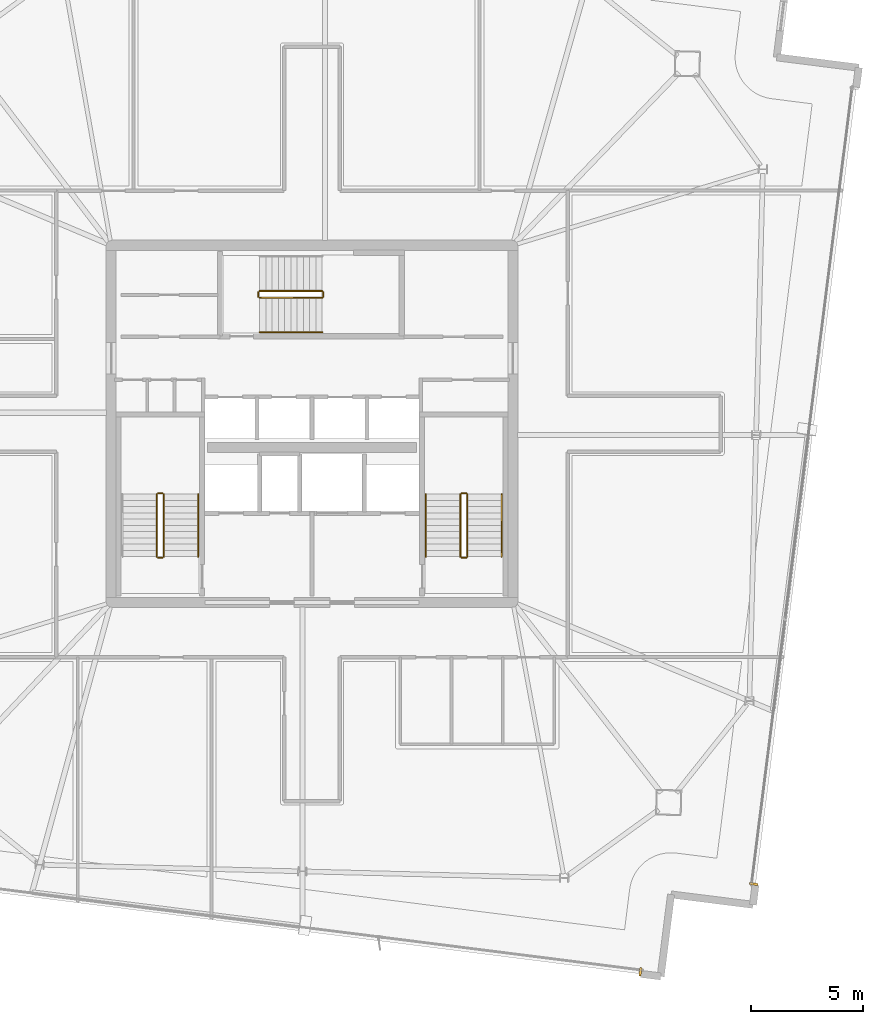
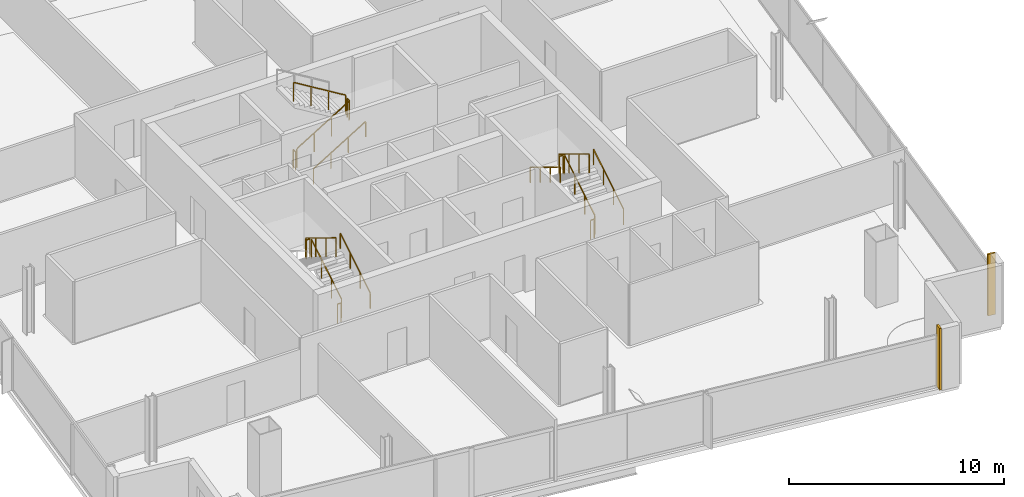
# One storey, part 22 of 23: 16 railings, 2 coverings.
"""IFC4 building model written with IfcOpenShell, lengths in metres."""

from ifc_helpers import new_model, si_unit, direction, frame, origin, origin_2d, place, context, subcontext, project, spatial, rectangle, extrude, source, transform, mapped, material, layer, layer_set, type_object, element, save


model = new_model("IFC4")

# Units and contexts
model_context = context("Model", 3, precision=1e-05, world=origin(), true_north=direction((0.0, 1.0)))
body_context = subcontext(model_context, "Body", "Model", "MODEL_VIEW")
ifc_project = project(units=[si_unit("LENGTHUNIT", "METRE"), si_unit("AREAUNIT", "SQUARE_METRE"), si_unit("VOLUMEUNIT", "CUBIC_METRE"), si_unit("PLANEANGLEUNIT", "RADIAN"), si_unit("MASSUNIT", "GRAM", prefix="KILO")], contexts=[model_context])

# Site, building, storey
site_placement = place(None, origin())
site = spatial("IfcSite", under=ifc_project, at=site_placement, CompositionType="ELEMENT")
building_placement = place(site_placement, origin())
building = spatial("IfcBuilding", under=site, at=building_placement, Name="Haldenkirk Collegiate Tower", CompositionType="ELEMENT")
storey_placement = place(building_placement, frame((0.0, 0.0, 306.449951171875)))
storey = spatial("IfcBuildingStorey", under=building, at=storey_placement, Name="L77", CompositionType="ELEMENT", Elevation=306.449951171875)

# Railings
ifc_material_1 = material(Name="Painted architectural tubular steel", Category="steel")
railing_type_1 = type_object("IfcRailingType", Name="RLG-STAIR-GUARD-1100", PredefinedType="BALUSTRADE", material=ifc_material_1)
railing_1_placement = place(storey_placement, frame((29.35009765625, 20.050048828125, 0.17041015625)))
element("IfcRailing", 1, at=railing_1_placement, inside=storey, type_object=railing_type_1, Name="L77 ST-1 stair guard 1", PredefinedType="BALUSTRADE", context=body_context, shape_type="SweptSolid", body=[
    extrude(rectangle(XDim=0.048095703125, YDim=0.048095703125, at=origin_2d()), frame((0.0, 0.0, 1.076171875), z_axis=(0.0, 0.854169791009, 0.51999420009), x_axis=(-1.0, 0.0, 0.0)), (0.0, 0.0, 1.0), 3.278076171875),
    extrude(rectangle(XDim=0.0419921875, YDim=0.0419921875, at=origin_2d()), origin(), (0.0, 0.0, 1.0), 1.052001953125),
    extrude(rectangle(XDim=0.0419921875, YDim=0.0419921875, at=origin_2d()), frame((0.0, 0.933349609375, 0.568115234375)), (0.0, 0.0, 1.0), 1.052001953125),
    extrude(rectangle(XDim=0.0419921875, YDim=0.0419921875, at=origin_2d()), frame((0.0, 1.86669921875, 1.136474609375)), (0.0, 0.0, 1.0), 1.052001953125),
    extrude(rectangle(XDim=0.0419921875, YDim=0.0419921875, at=origin_2d()), frame((0.0, 2.800048828125, 1.70458984375)), (0.0, 0.0, 1.0), 1.052001953125),
])
railing_2_placement = place(storey_placement, frame((29.300048828125, 22.89990234375, 1.875)))
element("IfcRailing", 2, at=railing_2_placement, inside=storey, type_object=railing_type_1, Name="L77 ST-1 stair guard 2", PredefinedType="BALUSTRADE", context=body_context, shape_type="SweptSolid", body=[
    extrude(rectangle(XDim=0.048095703125, YDim=0.048095703125, at=origin_2d()), frame((0.0, 0.0, 1.076171875), z_axis=(-1.0, 0.0, 0.0), x_axis=(0.0, -1.0, 0.0)), (0.0, 0.0, 1.0), 0.199951171875),
    extrude(rectangle(XDim=0.0419921875, YDim=0.0419921875, at=origin_2d()), origin(), (0.0, 0.0, 1.0), 1.052001953125),
    extrude(rectangle(XDim=0.0419921875, YDim=0.0419921875, at=origin_2d()), frame((-0.199951171875, 0.0, 0.0)), (0.0, 0.0, 1.0), 1.052001953125),
])
railing_3_placement = place(storey_placement, frame((29.050048828125, 22.85009765625, 2.04541015625)))
element("IfcRailing", 3, at=railing_3_placement, inside=storey, type_object=railing_type_1, Name="L77 ST-1 stair guard 3", PredefinedType="BALUSTRADE", context=body_context, shape_type="SweptSolid", body=[
    extrude(rectangle(XDim=0.048095703125, YDim=0.048095703125, at=origin_2d()), frame((0.0, 0.0, 1.076171875), z_axis=(0.0, -0.854169791009, 0.51999420009), x_axis=(1.0, 0.0, 0.0)), (0.0, 0.0, 1.0), 3.278076171875),
    extrude(rectangle(XDim=0.0419921875, YDim=0.0419921875, at=origin_2d()), origin(), (0.0, 0.0, 1.0), 1.052001953125),
    extrude(rectangle(XDim=0.0419921875, YDim=0.0419921875, at=origin_2d()), frame((0.0, -0.933349609375, 0.568115234375)), (0.0, 0.0, 1.0), 1.052001953125),
    extrude(rectangle(XDim=0.0419921875, YDim=0.0419921875, at=origin_2d()), frame((0.0, -1.86669921875, 1.136474609375)), (0.0, 0.0, 1.0), 1.052001953125),
    extrude(rectangle(XDim=0.0419921875, YDim=0.0419921875, at=origin_2d()), frame((0.0, -2.800048828125, 1.70458984375)), (0.0, 0.0, 1.0), 1.052001953125),
])
railing_4_placement = place(storey_placement, frame((29.300048828125, 20.0, 0.0)))
element("IfcRailing", 4, at=railing_4_placement, inside=storey, type_object=railing_type_1, Name="L77 ST-1 stair guard 4", PredefinedType="BALUSTRADE", context=body_context, shape_type="SweptSolid", body=[
    extrude(rectangle(XDim=0.048095703125, YDim=0.048095703125, at=origin_2d()), frame((0.0, 0.0, 1.076171875), z_axis=(-1.0, 0.0, 0.0), x_axis=(0.0, -1.0, 0.0)), (0.0, 0.0, 1.0), 0.199951171875),
    extrude(rectangle(XDim=0.0419921875, YDim=0.0419921875, at=origin_2d()), origin(), (0.0, 0.0, 1.0), 1.052001953125),
    extrude(rectangle(XDim=0.0419921875, YDim=0.0419921875, at=origin_2d()), frame((-0.199951171875, 0.0, 0.0)), (0.0, 0.0, 1.0), 1.052001953125),
])
railing_5_placement = place(storey_placement, frame((42.949951171875, 20.050048828125, 0.17041015625)))
element("IfcRailing", 5, at=railing_5_placement, inside=storey, type_object=railing_type_1, Name="L77 ST-2 stair guard 1", PredefinedType="BALUSTRADE", context=body_context, shape_type="SweptSolid", body=[
    extrude(rectangle(XDim=0.048095703125, YDim=0.048095703125, at=origin_2d()), frame((0.0, 0.0, 1.076171875), z_axis=(0.0, 0.854169791009, 0.51999420009), x_axis=(-1.0, 0.0, 0.0)), (0.0, 0.0, 1.0), 3.278076171875),
    extrude(rectangle(XDim=0.0419921875, YDim=0.0419921875, at=origin_2d()), origin(), (0.0, 0.0, 1.0), 1.052001953125),
    extrude(rectangle(XDim=0.0419921875, YDim=0.0419921875, at=origin_2d()), frame((0.0, 0.933349609375, 0.568115234375)), (0.0, 0.0, 1.0), 1.052001953125),
    extrude(rectangle(XDim=0.0419921875, YDim=0.0419921875, at=origin_2d()), frame((0.0, 1.86669921875, 1.136474609375)), (0.0, 0.0, 1.0), 1.052001953125),
    extrude(rectangle(XDim=0.0419921875, YDim=0.0419921875, at=origin_2d()), frame((0.0, 2.800048828125, 1.70458984375)), (0.0, 0.0, 1.0), 1.052001953125),
])
railing_6_placement = place(storey_placement, frame((42.89990234375, 22.89990234375, 1.875)))
element("IfcRailing", 6, at=railing_6_placement, inside=storey, type_object=railing_type_1, Name="L77 ST-2 stair guard 2", PredefinedType="BALUSTRADE", context=body_context, shape_type="SweptSolid", body=[
    extrude(rectangle(XDim=0.048095703125, YDim=0.048095703125, at=origin_2d()), frame((0.0, 0.0, 1.076171875), z_axis=(-1.0, 0.0, 0.0), x_axis=(0.0, -1.0, 0.0)), (0.0, 0.0, 1.0), 0.199951171875),
    extrude(rectangle(XDim=0.0419921875, YDim=0.0419921875, at=origin_2d()), origin(), (0.0, 0.0, 1.0), 1.052001953125),
    extrude(rectangle(XDim=0.0419921875, YDim=0.0419921875, at=origin_2d()), frame((-0.199951171875, 0.0, 0.0)), (0.0, 0.0, 1.0), 1.052001953125),
])
railing_7_placement = place(storey_placement, frame((42.64990234375, 22.85009765625, 2.04541015625)))
element("IfcRailing", 7, at=railing_7_placement, inside=storey, type_object=railing_type_1, Name="L77 ST-2 stair guard 3", PredefinedType="BALUSTRADE", context=body_context, shape_type="SweptSolid", body=[
    extrude(rectangle(XDim=0.048095703125, YDim=0.048095703125, at=origin_2d()), frame((0.0, 0.0, 1.076171875), z_axis=(0.0, -0.854169791009, 0.51999420009), x_axis=(1.0, 0.0, 0.0)), (0.0, 0.0, 1.0), 3.278076171875),
    extrude(rectangle(XDim=0.0419921875, YDim=0.0419921875, at=origin_2d()), origin(), (0.0, 0.0, 1.0), 1.052001953125),
    extrude(rectangle(XDim=0.0419921875, YDim=0.0419921875, at=origin_2d()), frame((0.0, -0.933349609375, 0.568115234375)), (0.0, 0.0, 1.0), 1.052001953125),
    extrude(rectangle(XDim=0.0419921875, YDim=0.0419921875, at=origin_2d()), frame((0.0, -1.86669921875, 1.136474609375)), (0.0, 0.0, 1.0), 1.052001953125),
    extrude(rectangle(XDim=0.0419921875, YDim=0.0419921875, at=origin_2d()), frame((0.0, -2.800048828125, 1.70458984375)), (0.0, 0.0, 1.0), 1.052001953125),
])
railing_8_placement = place(storey_placement, frame((42.89990234375, 20.0, 0.0)))
element("IfcRailing", 8, at=railing_8_placement, inside=storey, type_object=railing_type_1, Name="L77 ST-2 stair guard 4", PredefinedType="BALUSTRADE", context=body_context, shape_type="SweptSolid", body=[
    extrude(rectangle(XDim=0.048095703125, YDim=0.048095703125, at=origin_2d()), frame((0.0, 0.0, 1.076171875), z_axis=(-1.0, 0.0, 0.0), x_axis=(0.0, -1.0, 0.0)), (0.0, 0.0, 1.0), 0.199951171875),
    extrude(rectangle(XDim=0.0419921875, YDim=0.0419921875, at=origin_2d()), origin(), (0.0, 0.0, 1.0), 1.052001953125),
    extrude(rectangle(XDim=0.0419921875, YDim=0.0419921875, at=origin_2d()), frame((-0.199951171875, 0.0, 0.0)), (0.0, 0.0, 1.0), 1.052001953125),
])
railing_9_placement = place(storey_placement, frame((33.64990234375, 31.64990234375, 0.17041015625)))
element("IfcRailing", 9, at=railing_9_placement, inside=storey, type_object=railing_type_1, Name="L77 ST-3 stair guard 1", PredefinedType="BALUSTRADE", context=body_context, shape_type="SweptSolid", body=[
    extrude(rectangle(XDim=0.048095703125, YDim=0.048095703125, at=origin_2d()), frame((0.0, 0.0, 1.076171875), z_axis=(0.854169791009, 0.0, 0.51999420009), x_axis=(0.0, 1.0, 0.0)), (0.0, 0.0, 1.0), 3.278076171875),
    extrude(rectangle(XDim=0.0419921875, YDim=0.0419921875, at=origin_2d()), origin(), (0.0, 0.0, 1.0), 1.052001953125),
    extrude(rectangle(XDim=0.0419921875, YDim=0.0419921875, at=origin_2d()), frame((0.933349609375, 0.0, 0.568115234375)), (0.0, 0.0, 1.0), 1.052001953125),
    extrude(rectangle(XDim=0.0419921875, YDim=0.0419921875, at=origin_2d()), frame((1.86669921875, 0.0, 1.136474609375)), (0.0, 0.0, 1.0), 1.052001953125),
    extrude(rectangle(XDim=0.0419921875, YDim=0.0419921875, at=origin_2d()), frame((2.800048828125, 0.0, 1.70458984375)), (0.0, 0.0, 1.0), 1.052001953125),
])
railing_10_placement = place(storey_placement, frame((36.5, 31.699951171875, 1.875)))
element("IfcRailing", 10, at=railing_10_placement, inside=storey, type_object=railing_type_1, Name="L77 ST-3 stair guard 2", PredefinedType="BALUSTRADE", context=body_context, shape_type="SweptSolid", body=[
    extrude(rectangle(XDim=0.048095703125, YDim=0.048095703125, at=origin_2d()), frame((0.0, 0.0, 1.076171875), z_axis=(0.0, 1.0, 0.0), x_axis=(-1.0, 0.0, 0.0)), (0.0, 0.0, 1.0), 0.199951171875),
    extrude(rectangle(XDim=0.0419921875, YDim=0.0419921875, at=origin_2d()), origin(), (0.0, 0.0, 1.0), 1.052001953125),
    extrude(rectangle(XDim=0.0419921875, YDim=0.0419921875, at=origin_2d()), frame((0.0, 0.199951171875, 0.0)), (0.0, 0.0, 1.0), 1.052001953125),
])
railing_11_placement = place(storey_placement, frame((36.449951171875, 31.949951171875, 2.04541015625)))
element("IfcRailing", 11, at=railing_11_placement, inside=storey, type_object=railing_type_1, Name="L77 ST-3 stair guard 3", PredefinedType="BALUSTRADE", context=body_context, shape_type="SweptSolid", body=[
    extrude(rectangle(XDim=0.048095703125, YDim=0.048095703125, at=origin_2d()), frame((0.0, 0.0, 1.076171875), z_axis=(-0.854169791009, 0.0, 0.51999420009), x_axis=(0.0, -1.0, 0.0)), (0.0, 0.0, 1.0), 3.278076171875),
    extrude(rectangle(XDim=0.0419921875, YDim=0.0419921875, at=origin_2d()), origin(), (0.0, 0.0, 1.0), 1.052001953125),
    extrude(rectangle(XDim=0.0419921875, YDim=0.0419921875, at=origin_2d()), frame((-0.933349609375, 0.0, 0.568115234375)), (0.0, 0.0, 1.0), 1.052001953125),
    extrude(rectangle(XDim=0.0419921875, YDim=0.0419921875, at=origin_2d()), frame((-1.86669921875, 0.0, 1.136474609375)), (0.0, 0.0, 1.0), 1.052001953125),
    extrude(rectangle(XDim=0.0419921875, YDim=0.0419921875, at=origin_2d()), frame((-2.800048828125, 0.0, 1.70458984375)), (0.0, 0.0, 1.0), 1.052001953125),
])
railing_12_placement = place(storey_placement, frame((33.60009765625, 31.699951171875, 0.0)))
element("IfcRailing", 12, at=railing_12_placement, inside=storey, type_object=railing_type_1, Name="L77 ST-3 stair guard 4", PredefinedType="BALUSTRADE", context=body_context, shape_type="SweptSolid", body=[
    extrude(rectangle(XDim=0.048095703125, YDim=0.048095703125, at=origin_2d()), frame((0.0, 0.0, 1.076171875), z_axis=(0.0, 1.0, 0.0), x_axis=(-1.0, 0.0, 0.0)), (0.0, 0.0, 1.0), 0.199951171875),
    extrude(rectangle(XDim=0.0419921875, YDim=0.0419921875, at=origin_2d()), origin(), (0.0, 0.0, 1.0), 1.052001953125),
    extrude(rectangle(XDim=0.0419921875, YDim=0.0419921875, at=origin_2d()), frame((0.0, 0.199951171875, 0.0)), (0.0, 0.0, 1.0), 1.052001953125),
])
railing_type_2 = type_object("IfcRailingType", Name="RLG-STAIR-HANDRAIL-900", PredefinedType="HANDRAIL", material=ifc_material_1)
for number, where, name in (
    (13, (30.89990234375, 20.050048828125, 0.17041015625), "L77 ST-1 stair handrail 1"),
    (14, (44.5, 20.050048828125, 0.17041015625), "L77 ST-2 stair handrail 1"),
):
    element("IfcRailing", number, at=place(storey_placement, frame(where)), inside=storey, type_object=railing_type_2, Name=name, PredefinedType="HANDRAIL", context=body_context, shape_type="SweptSolid", body=[
        extrude(rectangle(XDim=0.048095703125, YDim=0.048095703125, at=origin_2d()), frame((0.0, 0.0, 0.8759765625), z_axis=(0.0, 0.854169791009, 0.51999420009), x_axis=(-1.0, 0.0, 0.0)), (0.0, 0.0, 1.0), 3.278076171875),
        extrude(rectangle(XDim=0.0419921875, YDim=0.0419921875, at=origin_2d()), origin(), (0.0, 0.0, 1.0), 0.851806640625),
        extrude(rectangle(XDim=0.0419921875, YDim=0.0419921875, at=origin_2d()), frame((0.0, 0.933349609375, 0.568115234375)), (0.0, 0.0, 1.0), 0.851806640625),
        extrude(rectangle(XDim=0.0419921875, YDim=0.0419921875, at=origin_2d()), frame((0.0, 1.86669921875, 1.136474609375)), (0.0, 0.0, 1.0), 0.851806640625),
        extrude(rectangle(XDim=0.0419921875, YDim=0.0419921875, at=origin_2d()), frame((0.0, 2.800048828125, 1.70458984375)), (0.0, 0.0, 1.0), 0.851806640625),
    ])
railing_13_placement = place(storey_placement, frame((41.10009765625, 22.85009765625, 2.04541015625)))
element("IfcRailing", 15, at=railing_13_placement, inside=storey, type_object=railing_type_2, Name="L77 ST-2 stair handrail 2", PredefinedType="HANDRAIL", context=body_context, shape_type="SweptSolid", body=[
    extrude(rectangle(XDim=0.048095703125, YDim=0.048095703125, at=origin_2d()), frame((0.0, 0.0, 0.8759765625), z_axis=(0.0, -0.854169791009, 0.51999420009), x_axis=(1.0, 0.0, 0.0)), (0.0, 0.0, 1.0), 3.278076171875),
    extrude(rectangle(XDim=0.0419921875, YDim=0.0419921875, at=origin_2d()), origin(), (0.0, 0.0, 1.0), 0.851806640625),
    extrude(rectangle(XDim=0.0419921875, YDim=0.0419921875, at=origin_2d()), frame((0.0, -0.933349609375, 0.568115234375)), (0.0, 0.0, 1.0), 0.851806640625),
    extrude(rectangle(XDim=0.0419921875, YDim=0.0419921875, at=origin_2d()), frame((0.0, -1.86669921875, 1.136474609375)), (0.0, 0.0, 1.0), 0.851806640625),
    extrude(rectangle(XDim=0.0419921875, YDim=0.0419921875, at=origin_2d()), frame((0.0, -2.800048828125, 1.70458984375)), (0.0, 0.0, 1.0), 0.851806640625),
])
railing_14_placement = place(storey_placement, frame((33.64990234375, 30.10009765625, 0.17041015625)))
element("IfcRailing", 16, at=railing_14_placement, inside=storey, type_object=railing_type_2, Name="L77 ST-3 stair handrail 1", PredefinedType="HANDRAIL", context=body_context, shape_type="SweptSolid", body=[
    extrude(rectangle(XDim=0.048095703125, YDim=0.048095703125, at=origin_2d()), frame((0.0, 0.0, 0.8759765625), z_axis=(0.854169791009, 0.0, 0.51999420009), x_axis=(0.0, 1.0, 0.0)), (0.0, 0.0, 1.0), 3.278076171875),
    extrude(rectangle(XDim=0.0419921875, YDim=0.0419921875, at=origin_2d()), origin(), (0.0, 0.0, 1.0), 0.851806640625),
    extrude(rectangle(XDim=0.0419921875, YDim=0.0419921875, at=origin_2d()), frame((0.933349609375, 0.0, 0.568115234375)), (0.0, 0.0, 1.0), 0.851806640625),
    extrude(rectangle(XDim=0.0419921875, YDim=0.0419921875, at=origin_2d()), frame((1.86669921875, 0.0, 1.136474609375)), (0.0, 0.0, 1.0), 0.851806640625),
    extrude(rectangle(XDim=0.0419921875, YDim=0.0419921875, at=origin_2d()), frame((2.800048828125, 0.0, 1.70458984375)), (0.0, 0.0, 1.0), 0.851806640625),
])

# Coverings
ifc_material_2 = material(Name="Anodised architectural bronze aluminium", Category="aluminium")
ifc_layer = layer(ifc_material_2, 0.06005859375)
ifc_layer_set = layer_set([ifc_layer], Name="Anodised architectural bronze aluminium")
covering_type = type_object("IfcCoveringType", Name="COV-CLAD-BRONZE-60", PredefinedType="CLADDING", material=ifc_layer_set)
shared_shape = source(origin(), body_context, "Body", "SweptSolid", [
    extrude(rectangle(XDim=0.10009765625, YDim=0.3798828125, at=origin_2d()), origin(), (0.0, 0.0, 1.0), 3.489990234375),
])
for number, where, z_axis, x_axis, name in (
    (17, (55.78271484375, 5.387939453125, 0.0), (0.0, 0.0, 1.0), (-0.125333233564, -0.992114701314, 0.0), "L77 recessed curtain-wall bronze jamb closure SJR"),
    (18, (50.70947265625, 1.452880859375, 0.0), (0.0, 0.0, 1.0), (-0.992114701314, 0.125333233564, 0.0), "L77 recessed curtain-wall bronze jamb closure WJL"),
):
    element("IfcCovering", number, at=place(storey_placement, frame(where, z_axis=z_axis, x_axis=x_axis)), inside=storey, type_object=covering_type, Name=name, PredefinedType="CLADDING", context=body_context, shape_type="MappedRepresentation", body=[
        mapped(shared_shape, transform((0.0, 0.0, 0.0), x_axis=(1.0, 0.0, 0.0), y_axis=(0.0, 1.0, 0.0), z_axis=(0.0, 0.0, 1.0), scale=1.0)),
    ])

save(model, "model.ifc")
